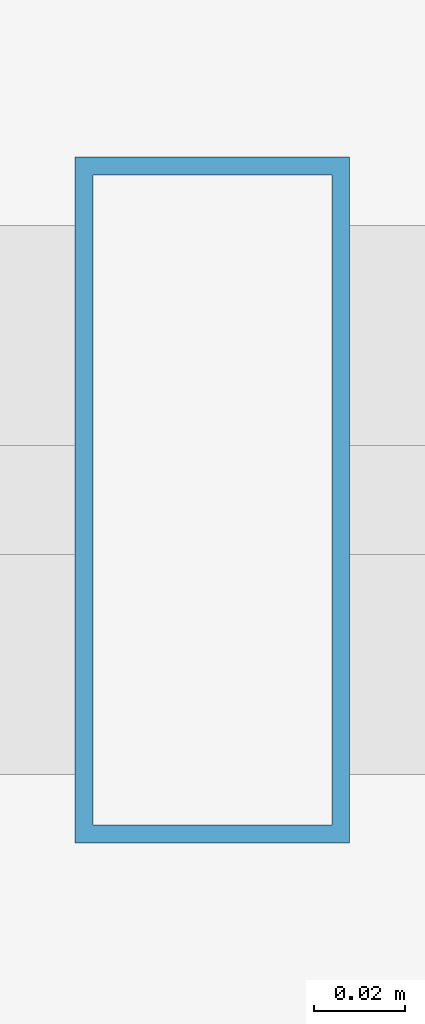
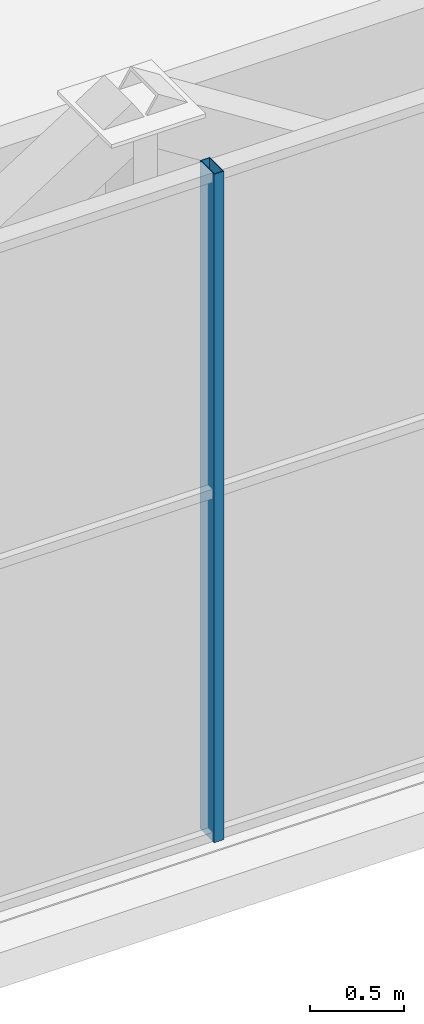
# One storey, part 7 of 27: 1 member, 1 element without a shape of its own.
"""IFC4 building model written with IfcOpenShell, lengths in metres."""

from ifc_helpers import new_model, si_unit, direction, frame, origin, origin_2d, place, context, subcontext, project, spatial, hollow_rectangle, extrude, source, transform, mapped, material, layer, layer_set, material_profile, profile_set, type_object, element, aggregate, save


model = new_model("IFC4")

# Units and contexts
model_context = context("Model", 3, precision=1e-05, world=origin(), true_north=direction((0.0, 1.0)))
body_context = subcontext(model_context, "Body", "Model", "MODEL_VIEW")
ifc_project = project(units=[si_unit("LENGTHUNIT", "METRE"), si_unit("AREAUNIT", "SQUARE_METRE"), si_unit("VOLUMEUNIT", "CUBIC_METRE"), si_unit("PLANEANGLEUNIT", "RADIAN"), si_unit("MASSUNIT", "GRAM", prefix="KILO")], contexts=[model_context])

# Site, building, storey
site_placement = place(None, origin())
site = spatial("IfcSite", under=ifc_project, at=site_placement, CompositionType="ELEMENT")
building_placement = place(site_placement, origin())
building = spatial("IfcBuilding", under=site, at=building_placement, Name="Zarnakvel Exchange Tower", CompositionType="ELEMENT")
storey_placement = place(building_placement, frame((0.0, 0.0, 294.60009765625)))
storey = spatial("IfcBuildingStorey", under=building, at=storey_placement, Name="Crown L82", CompositionType="ELEMENT", Elevation=294.60009765625)

# Curtain wall, member
ifc_material = material(Name="Architectural Bronze Anodised Aluminium", Category="aluminium")
ifc_layer = layer(ifc_material, 0.14990234375)
ifc_layer_set = layer_set([ifc_layer], Name="Architectural Bronze Anodised Aluminium")
curtain_wall_type = type_object("IfcCurtainWallType", Name="CW-07", PredefinedType="NOTDEFINED", material=ifc_layer_set)
curtain_wall_placement = place(storey_placement, origin())
curtain_wall = element("IfcCurtainWall", 1, at=curtain_wall_placement, inside=storey, type_object=curtain_wall_type, Name="Crown L82 Curtain Wall CW-Crown L82-S (CW-07)", PredefinedType="NOTDEFINED")
ifc_material_profile = material_profile(ifc_material, hollow_rectangle(XDim=0.14990234375, YDim=0.06005859375, WallThickness=0.00390625, at=origin_2d()))
ifc_profile_set = profile_set([ifc_material_profile], Name="Architectural Bronze Anodised Aluminium")
member_type = type_object("IfcMemberType", Name="CWM-07", PredefinedType="MULLION", material=ifc_profile_set)
shared_shape = source(origin(), body_context, "Body", "SweptSolid", [
    extrude(hollow_rectangle(XDim=0.14990234375, YDim=0.06005859375, WallThickness=0.00390625, at=origin_2d()), origin(), (0.0, 0.0, 1.0), 4.35986328125),
])
member_placement = place(storey_placement, frame((0.0, -15.409912109375, 0.0), z_axis=(0.0, 0.0, 1.0), x_axis=(0.0, 1.0, 0.0)))
member = element("IfcMember", 2, at=member_placement, type_object=member_type, Name="CW-07 mullion 4", PredefinedType="MULLION", context=body_context, shape_type="MappedRepresentation", body=[
    mapped(shared_shape, transform((0.0, 0.0, 0.0), x_axis=(1.0, 0.0, 0.0), y_axis=(0.0, 1.0, 0.0), z_axis=(0.0, 0.0, 1.0), scale=1.0)),
])
aggregate(curtain_wall, [member])

save(model, "model.ifc")
